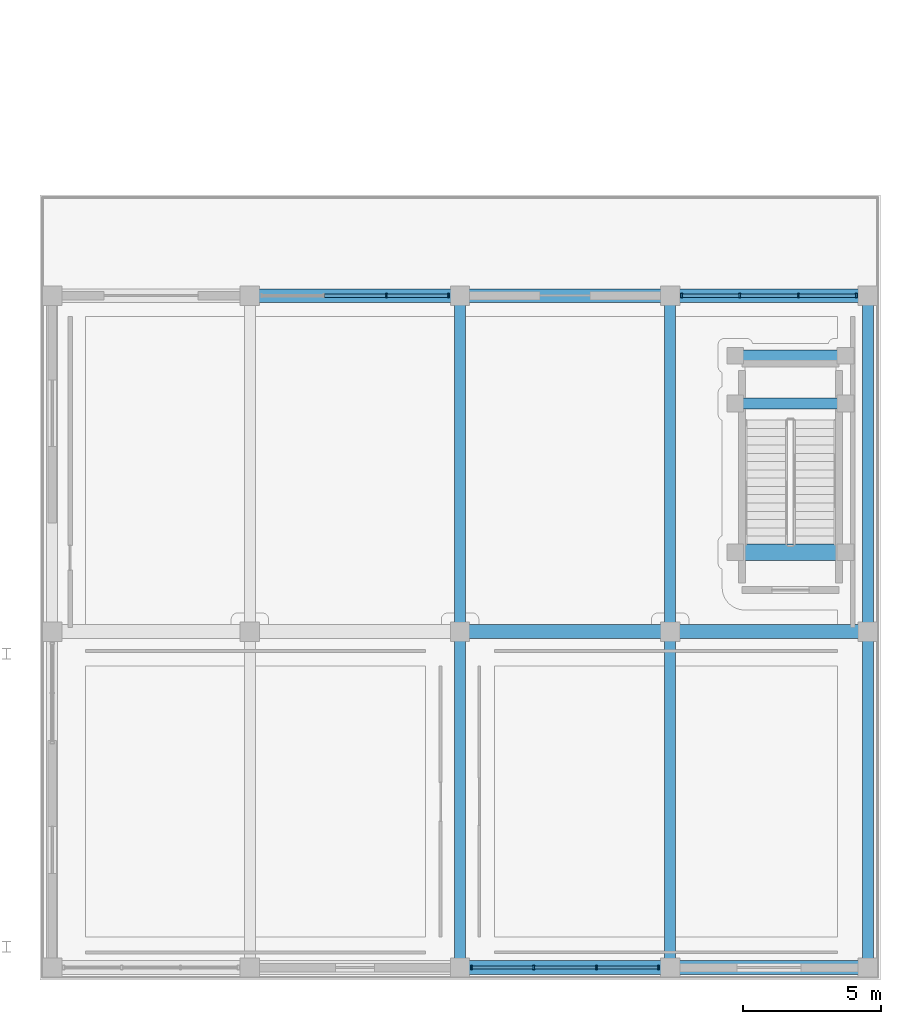
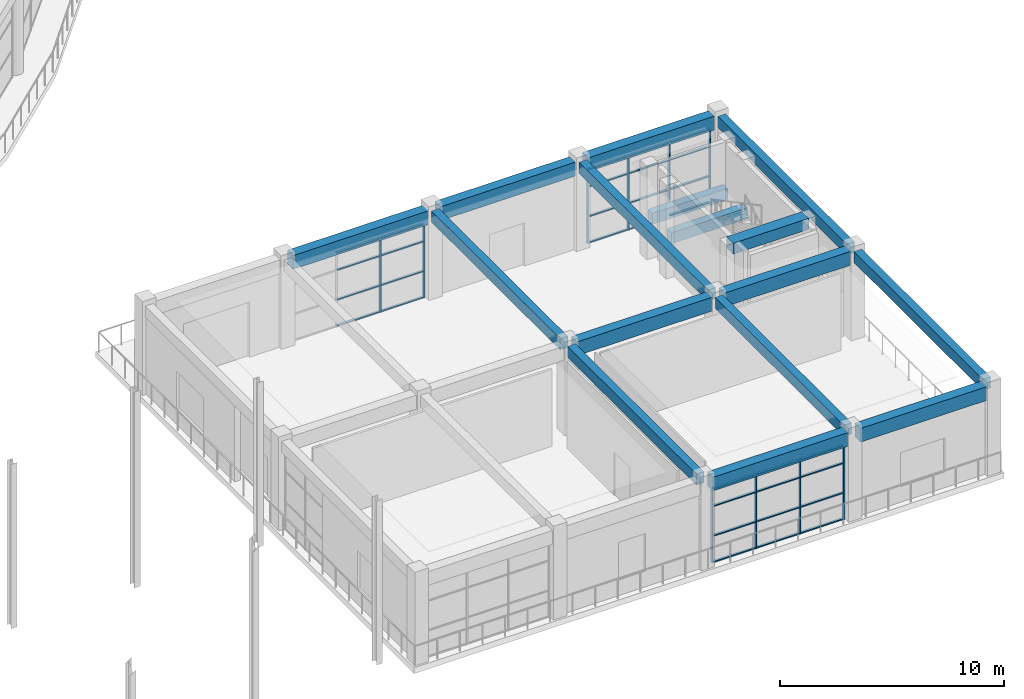
# One storey, part 27 of 99: 42 members, 16 beams, 3 elements without a shape of their own.
"""IFC4 building model written with IfcOpenShell, lengths in metres."""

from ifc_helpers import new_model, si_unit, direction, frame, origin, origin_2d, place, context, subcontext, project, spatial, rectangle, extrude, material, material_profile, profile_set, type_object, element, aggregate, save


model = new_model("IFC4")

# Units and contexts
model_context = context("Model", 3, precision=1e-05, world=origin(), true_north=direction((0.0, 1.0)))
body_context = subcontext(model_context, "Body", "Model", "MODEL_VIEW")
ifc_project = project(units=[si_unit("LENGTHUNIT", "METRE"), si_unit("AREAUNIT", "SQUARE_METRE"), si_unit("VOLUMEUNIT", "CUBIC_METRE"), si_unit("PLANEANGLEUNIT", "RADIAN"), si_unit("MASSUNIT", "GRAM", prefix="KILO")], contexts=[model_context])

# Site, building, storey
site_placement = place(None, origin())
site = spatial("IfcSite", under=ifc_project, at=site_placement, CompositionType="ELEMENT")
building_placement = place(site_placement, origin())
building = spatial("IfcBuilding", under=site, at=building_placement, Name="Saryqyr Civic Hall", CompositionType="ELEMENT")
storey_placement = place(building_placement, origin())
storey = spatial("IfcBuildingStorey", under=building, at=storey_placement, Name="L00", CompositionType="ELEMENT", Elevation=0.0)

# Curtain wall, members
ifc_material_1 = material(Name="Anodised aluminium and triple low-E glass", Category="aluminium")
curtain_wall_type_1 = type_object("IfcCurtainWallType", Name="ENV-CW-STD-59", PredefinedType="NOTDEFINED", material=ifc_material_1)
curtain_wall_1_placement = place(storey_placement, origin())
curtain_wall_1 = element("IfcCurtainWall", 1, at=curtain_wall_1_placement, inside=storey, type_object=curtain_wall_type_1, Name="Curtain wall V7E-CW-L00-0-1", PredefinedType="NOTDEFINED")
ifc_material_2 = material(Name="Anodised aluminium", Category="aluminium")
ifc_material_profile_1 = material_profile(ifc_material_2, rectangle(XDim=0.06005859375, YDim=0.159912109375, at=origin_2d()), Name="ALU MULLION 60x160")
ifc_profile_set_1 = profile_set([ifc_material_profile_1], Name="Anodised aluminium")
member_type_1 = type_object("IfcMemberType", Name="ENV-CW-MUL-180", PredefinedType="MULLION", material=ifc_profile_set_1)
member_1_placement = place(storey_placement, frame((105.97998046875, 0.449951171875, 0.0), z_axis=(0.0, 0.0, 1.0), x_axis=(-1.0, 0.0, 0.0)))
member_1 = element("IfcMember", 2, at=member_1_placement, type_object=member_type_1, Name="CW-59 mullion 1", PredefinedType="MULLION", context=body_context, shape_type="SweptSolid", body=[
    extrude(rectangle(XDim=0.06005859375, YDim=0.159912109375, at=origin_2d()), origin(), (0.0, 0.0, 1.0), 4.044921875),
])
member_2_placement = place(storey_placement, frame((103.736572265625, 0.449951171875, 0.0), z_axis=(0.0, 0.0, 1.0), x_axis=(-1.0, 0.0, 0.0)))
member_2 = element("IfcMember", 3, at=member_2_placement, type_object=member_type_1, Name="CW-59 mullion 2", PredefinedType="MULLION", context=body_context, shape_type="SweptSolid", body=[
    extrude(rectangle(XDim=0.06005859375, YDim=0.159912109375, at=origin_2d()), origin(), (0.0, 0.0, 1.0), 4.044921875),
])
member_3_placement = place(storey_placement, frame((101.46337890625, 0.449951171875, 0.0), z_axis=(0.0, 0.0, 1.0), x_axis=(-1.0, 0.0, 0.0)))
member_3 = element("IfcMember", 4, at=member_3_placement, type_object=member_type_1, Name="CW-59 mullion 3", PredefinedType="MULLION", context=body_context, shape_type="SweptSolid", body=[
    extrude(rectangle(XDim=0.06005859375, YDim=0.159912109375, at=origin_2d()), origin(), (0.0, 0.0, 1.0), 4.044921875),
])
member_4_placement = place(storey_placement, frame((99.219970703125, 0.449951171875, 0.0), z_axis=(0.0, 0.0, 1.0), x_axis=(-1.0, 0.0, 0.0)))
member_4 = element("IfcMember", 5, at=member_4_placement, type_object=member_type_1, Name="CW-59 mullion 4", PredefinedType="MULLION", context=body_context, shape_type="SweptSolid", body=[
    extrude(rectangle(XDim=0.06005859375, YDim=0.159912109375, at=origin_2d()), origin(), (0.0, 0.0, 1.0), 4.044921875),
])

curtain_wall_2_placement = place(storey_placement, origin())
curtain_wall_2 = element("IfcCurtainWall", 6, at=curtain_wall_2_placement, inside=storey, type_object=curtain_wall_type_1, Name="Curtain wall V7E-CW-L00-2-1", PredefinedType="NOTDEFINED")
member_5_placement = place(storey_placement, frame((96.13671875, 24.75, 0.0), z_axis=(0.0, 0.0, 1.0), x_axis=(1.0, 0.0, 0.0)))
member_5 = element("IfcMember", 7, at=member_5_placement, type_object=member_type_1, Name="CW-59 mullion 3", PredefinedType="MULLION", context=body_context, shape_type="SweptSolid", body=[
    extrude(rectangle(XDim=0.06005859375, YDim=0.159912109375, at=origin_2d()), origin(), (0.0, 0.0, 1.0), 4.044921875),
])
member_6_placement = place(storey_placement, frame((98.3798828125, 24.75, 0.0), z_axis=(0.0, 0.0, 1.0), x_axis=(1.0, 0.0, 0.0)))
member_6 = element("IfcMember", 8, at=member_6_placement, type_object=member_type_1, Name="CW-59 mullion 4", PredefinedType="MULLION", context=body_context, shape_type="SweptSolid", body=[
    extrude(rectangle(XDim=0.06005859375, YDim=0.159912109375, at=origin_2d()), origin(), (0.0, 0.0, 1.0), 4.044921875),
])

curtain_wall_type_2 = type_object("IfcCurtainWallType", Name="ENV-CW-STD-60", PredefinedType="NOTDEFINED", material=ifc_material_1)
curtain_wall_3_placement = place(storey_placement, origin())
curtain_wall_3 = element("IfcCurtainWall", 9, at=curtain_wall_3_placement, inside=storey, type_object=curtain_wall_type_2, Name="Curtain wall V7E-CW-L00-2-3", PredefinedType="NOTDEFINED")
member_7_placement = place(storey_placement, frame((106.820068359375, 24.75, 0.0), z_axis=(0.0, 0.0, 1.0), x_axis=(1.0, 0.0, 0.0)))
member_7 = element("IfcMember", 10, at=member_7_placement, type_object=member_type_1, Name="CW-60 mullion 1", PredefinedType="MULLION", context=body_context, shape_type="SweptSolid", body=[
    extrude(rectangle(XDim=0.06005859375, YDim=0.159912109375, at=origin_2d()), origin(), (0.0, 0.0, 1.0), 4.044921875),
])
member_8_placement = place(storey_placement, frame((108.913330078125, 24.75, 0.0), z_axis=(0.0, 0.0, 1.0), x_axis=(1.0, 0.0, 0.0)))
member_8 = element("IfcMember", 11, at=member_8_placement, type_object=member_type_1, Name="CW-60 mullion 2", PredefinedType="MULLION", context=body_context, shape_type="SweptSolid", body=[
    extrude(rectangle(XDim=0.06005859375, YDim=0.159912109375, at=origin_2d()), origin(), (0.0, 0.0, 1.0), 4.044921875),
])
member_9_placement = place(storey_placement, frame((111.03662109375, 24.75, 0.0), z_axis=(0.0, 0.0, 1.0), x_axis=(1.0, 0.0, 0.0)))
member_9 = element("IfcMember", 12, at=member_9_placement, type_object=member_type_1, Name="CW-60 mullion 3", PredefinedType="MULLION", context=body_context, shape_type="SweptSolid", body=[
    extrude(rectangle(XDim=0.06005859375, YDim=0.159912109375, at=origin_2d()), origin(), (0.0, 0.0, 1.0), 4.044921875),
])
member_10_placement = place(storey_placement, frame((113.1298828125, 24.75, 0.0), z_axis=(0.0, 0.0, 1.0), x_axis=(1.0, 0.0, 0.0)))
member_10 = element("IfcMember", 13, at=member_10_placement, type_object=member_type_1, Name="CW-60 mullion 4", PredefinedType="MULLION", context=body_context, shape_type="SweptSolid", body=[
    extrude(rectangle(XDim=0.06005859375, YDim=0.159912109375, at=origin_2d()), origin(), (0.0, 0.0, 1.0), 4.044921875),
])

# Member
ifc_material_profile_2 = material_profile(ifc_material_2, rectangle(XDim=0.1201171875, YDim=0.06005859375, at=origin_2d()), Name="ALU TRANSOM 120x60")
ifc_profile_set_2 = profile_set([ifc_material_profile_2], Name="Anodised aluminium")
member_type_2 = type_object("IfcMemberType", Name="ENV-CW-TRN-150", PredefinedType="USERDEFINED", material=ifc_profile_set_2)
member_11_placement = place(storey_placement, frame((105.949951171875, 0.449951171875, 0.030029296875), z_axis=(-1.0, 0.0, 0.0), x_axis=(0.0, -1.0, 0.0)))
member_11 = element("IfcMember", 14, at=member_11_placement, type_object=member_type_2, Name="CW-59 transom 1.1", ObjectType="TRANSOM", PredefinedType="USERDEFINED", context=body_context, shape_type="SweptSolid", body=[
    extrude(rectangle(XDim=0.1201171875, YDim=0.06005859375, at=origin_2d()), origin(), (0.0, 0.0, 1.0), 2.183349609375),
])

member_12_placement = place(storey_placement, frame((105.949951171875, 0.449951171875, 1.4560546875), z_axis=(-1.0, 0.0, 0.0), x_axis=(0.0, -1.0, 0.0)))
member_12 = element("IfcMember", 15, at=member_12_placement, type_object=member_type_2, Name="CW-59 transom 1.2", ObjectType="TRANSOM", PredefinedType="USERDEFINED", context=body_context, shape_type="SweptSolid", body=[
    extrude(rectangle(XDim=0.1201171875, YDim=0.06005859375, at=origin_2d()), origin(), (0.0, 0.0, 1.0), 2.183349609375),
])

member_13_placement = place(storey_placement, frame((105.949951171875, 0.449951171875, 3.073974609375), z_axis=(-1.0, 0.0, 0.0), x_axis=(0.0, -1.0, 0.0)))
member_13 = element("IfcMember", 16, at=member_13_placement, type_object=member_type_2, Name="CW-59 transom 1.3", ObjectType="TRANSOM", PredefinedType="USERDEFINED", context=body_context, shape_type="SweptSolid", body=[
    extrude(rectangle(XDim=0.1201171875, YDim=0.06005859375, at=origin_2d()), origin(), (0.0, 0.0, 1.0), 2.183349609375),
])

member_14_placement = place(storey_placement, frame((105.949951171875, 0.449951171875, 4.014892578125), z_axis=(-1.0, 0.0, 0.0), x_axis=(0.0, -1.0, 0.0)))
member_14 = element("IfcMember", 17, at=member_14_placement, type_object=member_type_2, Name="CW-59 transom 1.4", ObjectType="TRANSOM", PredefinedType="USERDEFINED", context=body_context, shape_type="SweptSolid", body=[
    extrude(rectangle(XDim=0.1201171875, YDim=0.06005859375, at=origin_2d()), origin(), (0.0, 0.0, 1.0), 2.183349609375),
])

member_15_placement = place(storey_placement, frame((103.706787109375, 0.449951171875, 0.030029296875), z_axis=(-1.0, 0.0, 0.0), x_axis=(0.0, -1.0, 0.0)))
member_15 = element("IfcMember", 18, at=member_15_placement, type_object=member_type_2, Name="CW-59 transom 2.1", ObjectType="TRANSOM", PredefinedType="USERDEFINED", context=body_context, shape_type="SweptSolid", body=[
    extrude(rectangle(XDim=0.1201171875, YDim=0.06005859375, at=origin_2d()), origin(), (0.0, 0.0, 1.0), 2.21337890625),
])

member_16_placement = place(storey_placement, frame((103.706787109375, 0.449951171875, 1.4560546875), z_axis=(-1.0, 0.0, 0.0), x_axis=(0.0, -1.0, 0.0)))
member_16 = element("IfcMember", 19, at=member_16_placement, type_object=member_type_2, Name="CW-59 transom 2.2", ObjectType="TRANSOM", PredefinedType="USERDEFINED", context=body_context, shape_type="SweptSolid", body=[
    extrude(rectangle(XDim=0.1201171875, YDim=0.06005859375, at=origin_2d()), origin(), (0.0, 0.0, 1.0), 2.21337890625),
])

member_17_placement = place(storey_placement, frame((103.706787109375, 0.449951171875, 3.073974609375), z_axis=(-1.0, 0.0, 0.0), x_axis=(0.0, -1.0, 0.0)))
member_17 = element("IfcMember", 20, at=member_17_placement, type_object=member_type_2, Name="CW-59 transom 2.3", ObjectType="TRANSOM", PredefinedType="USERDEFINED", context=body_context, shape_type="SweptSolid", body=[
    extrude(rectangle(XDim=0.1201171875, YDim=0.06005859375, at=origin_2d()), origin(), (0.0, 0.0, 1.0), 2.21337890625),
])

member_18_placement = place(storey_placement, frame((103.706787109375, 0.449951171875, 4.014892578125), z_axis=(-1.0, 0.0, 0.0), x_axis=(0.0, -1.0, 0.0)))
member_18 = element("IfcMember", 21, at=member_18_placement, type_object=member_type_2, Name="CW-59 transom 2.4", ObjectType="TRANSOM", PredefinedType="USERDEFINED", context=body_context, shape_type="SweptSolid", body=[
    extrude(rectangle(XDim=0.1201171875, YDim=0.06005859375, at=origin_2d()), origin(), (0.0, 0.0, 1.0), 2.21337890625),
])

member_19_placement = place(storey_placement, frame((101.433349609375, 0.449951171875, 0.030029296875), z_axis=(-1.0, 0.0, 0.0), x_axis=(0.0, -1.0, 0.0)))
member_19 = element("IfcMember", 22, at=member_19_placement, type_object=member_type_2, Name="CW-59 transom 3.1", ObjectType="TRANSOM", PredefinedType="USERDEFINED", context=body_context, shape_type="SweptSolid", body=[
    extrude(rectangle(XDim=0.1201171875, YDim=0.06005859375, at=origin_2d()), origin(), (0.0, 0.0, 1.0), 2.183349609375),
])

member_20_placement = place(storey_placement, frame((101.433349609375, 0.449951171875, 1.4560546875), z_axis=(-1.0, 0.0, 0.0), x_axis=(0.0, -1.0, 0.0)))
member_20 = element("IfcMember", 23, at=member_20_placement, type_object=member_type_2, Name="CW-59 transom 3.2", ObjectType="TRANSOM", PredefinedType="USERDEFINED", context=body_context, shape_type="SweptSolid", body=[
    extrude(rectangle(XDim=0.1201171875, YDim=0.06005859375, at=origin_2d()), origin(), (0.0, 0.0, 1.0), 2.183349609375),
])

member_21_placement = place(storey_placement, frame((101.433349609375, 0.449951171875, 3.073974609375), z_axis=(-1.0, 0.0, 0.0), x_axis=(0.0, -1.0, 0.0)))
member_21 = element("IfcMember", 24, at=member_21_placement, type_object=member_type_2, Name="CW-59 transom 3.3", ObjectType="TRANSOM", PredefinedType="USERDEFINED", context=body_context, shape_type="SweptSolid", body=[
    extrude(rectangle(XDim=0.1201171875, YDim=0.06005859375, at=origin_2d()), origin(), (0.0, 0.0, 1.0), 2.183349609375),
])

member_22_placement = place(storey_placement, frame((101.433349609375, 0.449951171875, 4.014892578125), z_axis=(-1.0, 0.0, 0.0), x_axis=(0.0, -1.0, 0.0)))
member_22 = element("IfcMember", 25, at=member_22_placement, type_object=member_type_2, Name="CW-59 transom 3.4", ObjectType="TRANSOM", PredefinedType="USERDEFINED", context=body_context, shape_type="SweptSolid", body=[
    extrude(rectangle(XDim=0.1201171875, YDim=0.06005859375, at=origin_2d()), origin(), (0.0, 0.0, 1.0), 2.183349609375),
])

aggregate(curtain_wall_1, [member_1, member_2, member_3, member_4, member_11, member_12, member_13, member_14, member_15, member_16, member_17, member_18, member_19, member_20, member_21, member_22])

member_23_placement = place(storey_placement, frame((93.893310546875, 24.75, 0.030029296875), z_axis=(1.0, 0.0, 0.0), x_axis=(0.0, 1.0, 0.0)))
member_23 = element("IfcMember", 26, at=member_23_placement, type_object=member_type_2, Name="CW-59 transom 2.1", ObjectType="TRANSOM", PredefinedType="USERDEFINED", context=body_context, shape_type="SweptSolid", body=[
    extrude(rectangle(XDim=0.1201171875, YDim=0.06005859375, at=origin_2d()), origin(), (0.0, 0.0, 1.0), 2.21337890625),
])

member_24_placement = place(storey_placement, frame((93.893310546875, 24.75, 1.4560546875), z_axis=(1.0, 0.0, 0.0), x_axis=(0.0, 1.0, 0.0)))
member_24 = element("IfcMember", 27, at=member_24_placement, type_object=member_type_2, Name="CW-59 transom 2.2", ObjectType="TRANSOM", PredefinedType="USERDEFINED", context=body_context, shape_type="SweptSolid", body=[
    extrude(rectangle(XDim=0.1201171875, YDim=0.06005859375, at=origin_2d()), origin(), (0.0, 0.0, 1.0), 2.21337890625),
])

member_25_placement = place(storey_placement, frame((93.893310546875, 24.75, 3.073974609375), z_axis=(1.0, 0.0, 0.0), x_axis=(0.0, 1.0, 0.0)))
member_25 = element("IfcMember", 28, at=member_25_placement, type_object=member_type_2, Name="CW-59 transom 2.3", ObjectType="TRANSOM", PredefinedType="USERDEFINED", context=body_context, shape_type="SweptSolid", body=[
    extrude(rectangle(XDim=0.1201171875, YDim=0.06005859375, at=origin_2d()), origin(), (0.0, 0.0, 1.0), 2.21337890625),
])

member_26_placement = place(storey_placement, frame((93.893310546875, 24.75, 4.014892578125), z_axis=(1.0, 0.0, 0.0), x_axis=(0.0, 1.0, 0.0)))
member_26 = element("IfcMember", 29, at=member_26_placement, type_object=member_type_2, Name="CW-59 transom 2.4", ObjectType="TRANSOM", PredefinedType="USERDEFINED", context=body_context, shape_type="SweptSolid", body=[
    extrude(rectangle(XDim=0.1201171875, YDim=0.06005859375, at=origin_2d()), origin(), (0.0, 0.0, 1.0), 2.21337890625),
])

member_27_placement = place(storey_placement, frame((96.166748046875, 24.75, 0.030029296875), z_axis=(1.0, 0.0, 0.0), x_axis=(0.0, 1.0, 0.0)))
member_27 = element("IfcMember", 30, at=member_27_placement, type_object=member_type_2, Name="CW-59 transom 3.1", ObjectType="TRANSOM", PredefinedType="USERDEFINED", context=body_context, shape_type="SweptSolid", body=[
    extrude(rectangle(XDim=0.1201171875, YDim=0.06005859375, at=origin_2d()), origin(), (0.0, 0.0, 1.0), 2.183349609375),
])

member_28_placement = place(storey_placement, frame((96.166748046875, 24.75, 1.4560546875), z_axis=(1.0, 0.0, 0.0), x_axis=(0.0, 1.0, 0.0)))
member_28 = element("IfcMember", 31, at=member_28_placement, type_object=member_type_2, Name="CW-59 transom 3.2", ObjectType="TRANSOM", PredefinedType="USERDEFINED", context=body_context, shape_type="SweptSolid", body=[
    extrude(rectangle(XDim=0.1201171875, YDim=0.06005859375, at=origin_2d()), origin(), (0.0, 0.0, 1.0), 2.183349609375),
])

member_29_placement = place(storey_placement, frame((96.166748046875, 24.75, 3.073974609375), z_axis=(1.0, 0.0, 0.0), x_axis=(0.0, 1.0, 0.0)))
member_29 = element("IfcMember", 32, at=member_29_placement, type_object=member_type_2, Name="CW-59 transom 3.3", ObjectType="TRANSOM", PredefinedType="USERDEFINED", context=body_context, shape_type="SweptSolid", body=[
    extrude(rectangle(XDim=0.1201171875, YDim=0.06005859375, at=origin_2d()), origin(), (0.0, 0.0, 1.0), 2.183349609375),
])

member_30_placement = place(storey_placement, frame((96.166748046875, 24.75, 4.014892578125), z_axis=(1.0, 0.0, 0.0), x_axis=(0.0, 1.0, 0.0)))
member_30 = element("IfcMember", 33, at=member_30_placement, type_object=member_type_2, Name="CW-59 transom 3.4", ObjectType="TRANSOM", PredefinedType="USERDEFINED", context=body_context, shape_type="SweptSolid", body=[
    extrude(rectangle(XDim=0.1201171875, YDim=0.06005859375, at=origin_2d()), origin(), (0.0, 0.0, 1.0), 2.183349609375),
])

aggregate(curtain_wall_2, [member_5, member_6, member_23, member_24, member_25, member_26, member_27, member_28, member_29, member_30])

member_31_placement = place(storey_placement, frame((106.85009765625, 24.75, 0.030029296875), z_axis=(1.0, 0.0, 0.0), x_axis=(0.0, 1.0, 0.0)))
member_31 = element("IfcMember", 34, at=member_31_placement, type_object=member_type_2, Name="CW-60 transom 1.1", ObjectType="TRANSOM", PredefinedType="USERDEFINED", context=body_context, shape_type="SweptSolid", body=[
    extrude(rectangle(XDim=0.1201171875, YDim=0.06005859375, at=origin_2d()), origin(), (0.0, 0.0, 1.0), 2.033203125),
])

member_32_placement = place(storey_placement, frame((106.85009765625, 24.75, 1.4560546875), z_axis=(1.0, 0.0, 0.0), x_axis=(0.0, 1.0, 0.0)))
member_32 = element("IfcMember", 35, at=member_32_placement, type_object=member_type_2, Name="CW-60 transom 1.2", ObjectType="TRANSOM", PredefinedType="USERDEFINED", context=body_context, shape_type="SweptSolid", body=[
    extrude(rectangle(XDim=0.1201171875, YDim=0.06005859375, at=origin_2d()), origin(), (0.0, 0.0, 1.0), 2.033203125),
])

member_33_placement = place(storey_placement, frame((106.85009765625, 24.75, 3.073974609375), z_axis=(1.0, 0.0, 0.0), x_axis=(0.0, 1.0, 0.0)))
member_33 = element("IfcMember", 36, at=member_33_placement, type_object=member_type_2, Name="CW-60 transom 1.3", ObjectType="TRANSOM", PredefinedType="USERDEFINED", context=body_context, shape_type="SweptSolid", body=[
    extrude(rectangle(XDim=0.1201171875, YDim=0.06005859375, at=origin_2d()), origin(), (0.0, 0.0, 1.0), 2.033203125),
])

member_34_placement = place(storey_placement, frame((106.85009765625, 24.75, 4.014892578125), z_axis=(1.0, 0.0, 0.0), x_axis=(0.0, 1.0, 0.0)))
member_34 = element("IfcMember", 37, at=member_34_placement, type_object=member_type_2, Name="CW-60 transom 1.4", ObjectType="TRANSOM", PredefinedType="USERDEFINED", context=body_context, shape_type="SweptSolid", body=[
    extrude(rectangle(XDim=0.1201171875, YDim=0.06005859375, at=origin_2d()), origin(), (0.0, 0.0, 1.0), 2.033203125),
])

member_35_placement = place(storey_placement, frame((108.943359375, 24.75, 0.030029296875), z_axis=(1.0, 0.0, 0.0), x_axis=(0.0, 1.0, 0.0)))
member_35 = element("IfcMember", 38, at=member_35_placement, type_object=member_type_2, Name="CW-60 transom 2.1", ObjectType="TRANSOM", PredefinedType="USERDEFINED", context=body_context, shape_type="SweptSolid", body=[
    extrude(rectangle(XDim=0.1201171875, YDim=0.06005859375, at=origin_2d()), origin(), (0.0, 0.0, 1.0), 2.063232421875),
])

member_36_placement = place(storey_placement, frame((108.943359375, 24.75, 1.4560546875), z_axis=(1.0, 0.0, 0.0), x_axis=(0.0, 1.0, 0.0)))
member_36 = element("IfcMember", 39, at=member_36_placement, type_object=member_type_2, Name="CW-60 transom 2.2", ObjectType="TRANSOM", PredefinedType="USERDEFINED", context=body_context, shape_type="SweptSolid", body=[
    extrude(rectangle(XDim=0.1201171875, YDim=0.06005859375, at=origin_2d()), origin(), (0.0, 0.0, 1.0), 2.063232421875),
])

member_37_placement = place(storey_placement, frame((108.943359375, 24.75, 3.073974609375), z_axis=(1.0, 0.0, 0.0), x_axis=(0.0, 1.0, 0.0)))
member_37 = element("IfcMember", 40, at=member_37_placement, type_object=member_type_2, Name="CW-60 transom 2.3", ObjectType="TRANSOM", PredefinedType="USERDEFINED", context=body_context, shape_type="SweptSolid", body=[
    extrude(rectangle(XDim=0.1201171875, YDim=0.06005859375, at=origin_2d()), origin(), (0.0, 0.0, 1.0), 2.063232421875),
])

member_38_placement = place(storey_placement, frame((108.943359375, 24.75, 4.014892578125), z_axis=(1.0, 0.0, 0.0), x_axis=(0.0, 1.0, 0.0)))
member_38 = element("IfcMember", 41, at=member_38_placement, type_object=member_type_2, Name="CW-60 transom 2.4", ObjectType="TRANSOM", PredefinedType="USERDEFINED", context=body_context, shape_type="SweptSolid", body=[
    extrude(rectangle(XDim=0.1201171875, YDim=0.06005859375, at=origin_2d()), origin(), (0.0, 0.0, 1.0), 2.063232421875),
])

member_39_placement = place(storey_placement, frame((111.066650390625, 24.75, 0.030029296875), z_axis=(1.0, 0.0, 0.0), x_axis=(0.0, 1.0, 0.0)))
member_39 = element("IfcMember", 42, at=member_39_placement, type_object=member_type_2, Name="CW-60 transom 3.1", ObjectType="TRANSOM", PredefinedType="USERDEFINED", context=body_context, shape_type="SweptSolid", body=[
    extrude(rectangle(XDim=0.1201171875, YDim=0.06005859375, at=origin_2d()), origin(), (0.0, 0.0, 1.0), 2.033447265625),
])

member_40_placement = place(storey_placement, frame((111.066650390625, 24.75, 1.4560546875), z_axis=(1.0, 0.0, 0.0), x_axis=(0.0, 1.0, 0.0)))
member_40 = element("IfcMember", 43, at=member_40_placement, type_object=member_type_2, Name="CW-60 transom 3.2", ObjectType="TRANSOM", PredefinedType="USERDEFINED", context=body_context, shape_type="SweptSolid", body=[
    extrude(rectangle(XDim=0.1201171875, YDim=0.06005859375, at=origin_2d()), origin(), (0.0, 0.0, 1.0), 2.033447265625),
])

member_41_placement = place(storey_placement, frame((111.066650390625, 24.75, 3.073974609375), z_axis=(1.0, 0.0, 0.0), x_axis=(0.0, 1.0, 0.0)))
member_41 = element("IfcMember", 44, at=member_41_placement, type_object=member_type_2, Name="CW-60 transom 3.3", ObjectType="TRANSOM", PredefinedType="USERDEFINED", context=body_context, shape_type="SweptSolid", body=[
    extrude(rectangle(XDim=0.1201171875, YDim=0.06005859375, at=origin_2d()), origin(), (0.0, 0.0, 1.0), 2.033447265625),
])

member_42_placement = place(storey_placement, frame((111.066650390625, 24.75, 4.014892578125), z_axis=(1.0, 0.0, 0.0), x_axis=(0.0, 1.0, 0.0)))
member_42 = element("IfcMember", 45, at=member_42_placement, type_object=member_type_2, Name="CW-60 transom 3.4", ObjectType="TRANSOM", PredefinedType="USERDEFINED", context=body_context, shape_type="SweptSolid", body=[
    extrude(rectangle(XDim=0.1201171875, YDim=0.06005859375, at=origin_2d()), origin(), (0.0, 0.0, 1.0), 2.033447265625),
])

aggregate(curtain_wall_3, [member_7, member_8, member_9, member_10, member_31, member_32, member_33, member_34, member_35, member_36, member_37, member_38, member_39, member_40, member_41, member_42])

# Beams
ifc_material_3 = material(Name="Concrete C35/45", Category="concrete")
ifc_material_profile_3 = material_profile(ifc_material_3, rectangle(XDim=0.39990234375, YDim=0.60009765625, at=origin_2d()), Name="RC 400x600")
ifc_profile_set_3 = profile_set([ifc_material_profile_3], Name="Concrete C35/45")
beam_type_1 = type_object("IfcBeamType", Name="STR-BM-RC400x600", PredefinedType="BEAM", material=ifc_profile_set_3)
for number, where, z_axis, x_axis, name in (
    (46, (98.800048828125, 0.77490234375, 4.52001953125), (0.0, 1.0, 0.0), (-1.0, 0.0, 0.0), "Beam V7E-BM-NS31-L00"),
    (47, (98.800048828125, 12.925048828125, 4.52001953125), (0.0, 1.0, 0.0), (-1.0, 0.0, 0.0), "Beam V7E-BM-NS32-L00"),
    (48, (106.39990234375, 0.77490234375, 4.52001953125), (0.0, 1.0, 0.0), (-1.0, 0.0, 0.0), "Beam V7E-BM-NS41-L00"),
    (49, (106.39990234375, 12.925048828125, 4.52001953125), (0.0, 1.0, 0.0), (-1.0, 0.0, 0.0), "Beam V7E-BM-NS42-L00"),
    (50, (113.550048828125, 0.77490234375, 4.52001953125), (0.0, 1.0, 0.0), (-1.0, 0.0, 0.0), "Beam V7E-BM-NS51-L00"),
    (51, (113.550048828125, 12.925048828125, 4.52001953125), (0.0, 1.0, 0.0), (-1.0, 0.0, 0.0), "Beam V7E-BM-NS52-L00"),
):
    element("IfcBeam", number, at=place(storey_placement, frame(where, z_axis=z_axis, x_axis=x_axis)), inside=storey, type_object=beam_type_1, Name=name, PredefinedType="BEAM", context=body_context, shape_type="SweptSolid", body=[
        extrude(rectangle(XDim=0.39990234375, YDim=0.60009765625, at=origin_2d()), origin(), (0.0, 0.0, 1.0), 11.5),
    ])
for number, where, z_axis, x_axis, name in (
    (52, (112.699951171875, 20.85009765625, 2.050048828125), (-1.0, 0.0, 0.0), (0.0, -1.0, 0.0), "Stair half-landing support beam ST-8-LND1-L00"),
    (53, (112.699951171875, 22.580078125, 2.050048828125), (-1.0, 0.0, 0.0), (0.0, -1.0, 0.0), "Stair half-landing support beam ST-8-LND2-L00"),
):
    element("IfcBeam", number, at=place(storey_placement, frame(where, z_axis=z_axis, x_axis=x_axis)), inside=storey, type_object=beam_type_1, Name=name, PredefinedType="BEAM", context=body_context, shape_type="SweptSolid", body=[
        extrude(rectangle(XDim=0.39990234375, YDim=0.60009765625, at=origin_2d()), origin(), (0.0, 0.0, 1.0), 3.89990234375),
    ])
ifc_material_4 = material(Name="Concrete C40/50", Category="concrete")
ifc_material_profile_4 = material_profile(ifc_material_4, rectangle(XDim=0.5, YDim=0.75, at=origin_2d()), Name="RC 500x750")
ifc_profile_set_4 = profile_set([ifc_material_profile_4], Name="Concrete C40/50")
beam_type_2 = type_object("IfcBeamType", Name="STR-BM-RC500x750", PredefinedType="BEAM", material=ifc_profile_set_4)
beam_1_placement = place(storey_placement, frame((99.125, 0.449951171875, 4.445068359375), z_axis=(1.0, 0.0, 0.0), x_axis=(0.0, 1.0, 0.0)))
element("IfcBeam", 54, at=beam_1_placement, inside=storey, type_object=beam_type_2, Name="Beam V7E-BM-EW13-L00", PredefinedType="BEAM", context=body_context, shape_type="SweptSolid", body=[
    extrude(rectangle(XDim=0.5, YDim=0.75, at=origin_2d()), origin(), (0.0, 0.0, 1.0), 6.949951171875),
])
beam_2_placement = place(storey_placement, frame((106.72509765625, 0.449951171875, 4.445068359375), z_axis=(1.0, 0.0, 0.0), x_axis=(0.0, 1.0, 0.0)))
element("IfcBeam", 55, at=beam_2_placement, inside=storey, type_object=beam_type_2, Name="Beam V7E-BM-EW14-L00", PredefinedType="BEAM", context=body_context, shape_type="SweptSolid", body=[
    extrude(rectangle(XDim=0.5, YDim=0.75, at=origin_2d()), origin(), (0.0, 0.0, 1.0), 6.5),
])
beam_3_placement = place(storey_placement, frame((99.125, 12.60009765625, 4.445068359375), z_axis=(1.0, 0.0, 0.0), x_axis=(0.0, 1.0, 0.0)))
element("IfcBeam", 56, at=beam_3_placement, inside=storey, type_object=beam_type_2, Name="Beam V7E-BM-EW23-L00", PredefinedType="BEAM", context=body_context, shape_type="SweptSolid", body=[
    extrude(rectangle(XDim=0.5, YDim=0.75, at=origin_2d()), origin(), (0.0, 0.0, 1.0), 6.949951171875),
])
beam_4_placement = place(storey_placement, frame((106.72509765625, 12.60009765625, 4.445068359375), z_axis=(1.0, 0.0, 0.0), x_axis=(0.0, 1.0, 0.0)))
element("IfcBeam", 57, at=beam_4_placement, inside=storey, type_object=beam_type_2, Name="Beam V7E-BM-EW24-L00", PredefinedType="BEAM", context=body_context, shape_type="SweptSolid", body=[
    extrude(rectangle(XDim=0.5, YDim=0.75, at=origin_2d()), origin(), (0.0, 0.0, 1.0), 6.5),
])
beam_5_placement = place(storey_placement, frame((91.52490234375, 24.75, 4.445068359375), z_axis=(1.0, 0.0, 0.0), x_axis=(0.0, 1.0, 0.0)))
element("IfcBeam", 58, at=beam_5_placement, inside=storey, type_object=beam_type_2, Name="Beam V7E-BM-EW32-L00", PredefinedType="BEAM", context=body_context, shape_type="SweptSolid", body=[
    extrude(rectangle(XDim=0.5, YDim=0.75, at=origin_2d()), origin(), (0.0, 0.0, 1.0), 6.9501953125),
])
beam_6_placement = place(storey_placement, frame((99.125, 24.75, 4.445068359375), z_axis=(1.0, 0.0, 0.0), x_axis=(0.0, 1.0, 0.0)))
element("IfcBeam", 59, at=beam_6_placement, inside=storey, type_object=beam_type_2, Name="Beam V7E-BM-EW33-L00", PredefinedType="BEAM", context=body_context, shape_type="SweptSolid", body=[
    extrude(rectangle(XDim=0.5, YDim=0.75, at=origin_2d()), origin(), (0.0, 0.0, 1.0), 6.949951171875),
])
beam_7_placement = place(storey_placement, frame((106.72509765625, 24.75, 4.445068359375), z_axis=(1.0, 0.0, 0.0), x_axis=(0.0, 1.0, 0.0)))
element("IfcBeam", 60, at=beam_7_placement, inside=storey, type_object=beam_type_2, Name="Beam V7E-BM-EW34-L00", PredefinedType="BEAM", context=body_context, shape_type="SweptSolid", body=[
    extrude(rectangle(XDim=0.5, YDim=0.75, at=origin_2d()), origin(), (0.0, 0.0, 1.0), 6.5),
])
ifc_material_profile_5 = material_profile(ifc_material_4, rectangle(XDim=0.60009765625, YDim=0.60009765625, at=origin_2d()), Name="RC 600x600")
ifc_profile_set_5 = profile_set([ifc_material_profile_5], Name="Concrete C40/50")
beam_type_3 = type_object("IfcBeamType", Name="STR-BM-RC600x600", PredefinedType="BEAM", material=ifc_profile_set_5)
beam_8_placement = place(storey_placement, frame((112.699951171875, 15.465087890625, 4.800048828125), z_axis=(-1.0, 0.0, 0.0), x_axis=(0.0, -1.0, 0.0)))
element("IfcBeam", 61, at=beam_8_placement, inside=storey, type_object=beam_type_3, Name="Stair well trimmer beam ST-8-L01", PredefinedType="BEAM", context=body_context, shape_type="SweptSolid", body=[
    extrude(rectangle(XDim=0.60009765625, YDim=0.60009765625, at=origin_2d()), origin(), (0.0, 0.0, 1.0), 3.89990234375),
])

save(model, "model.ifc")
